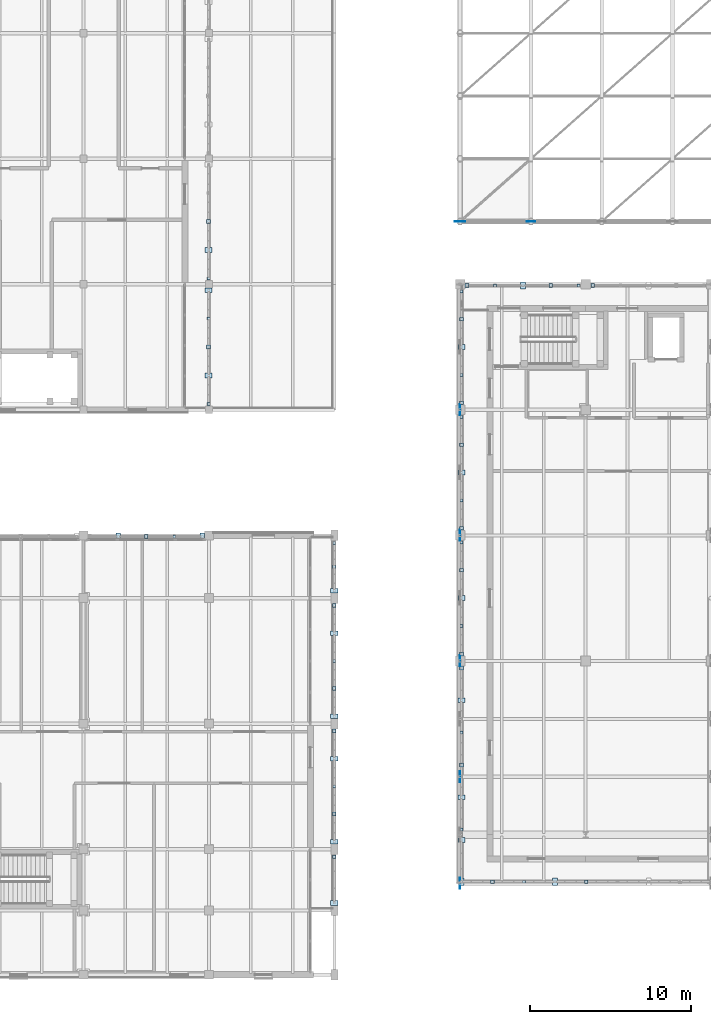
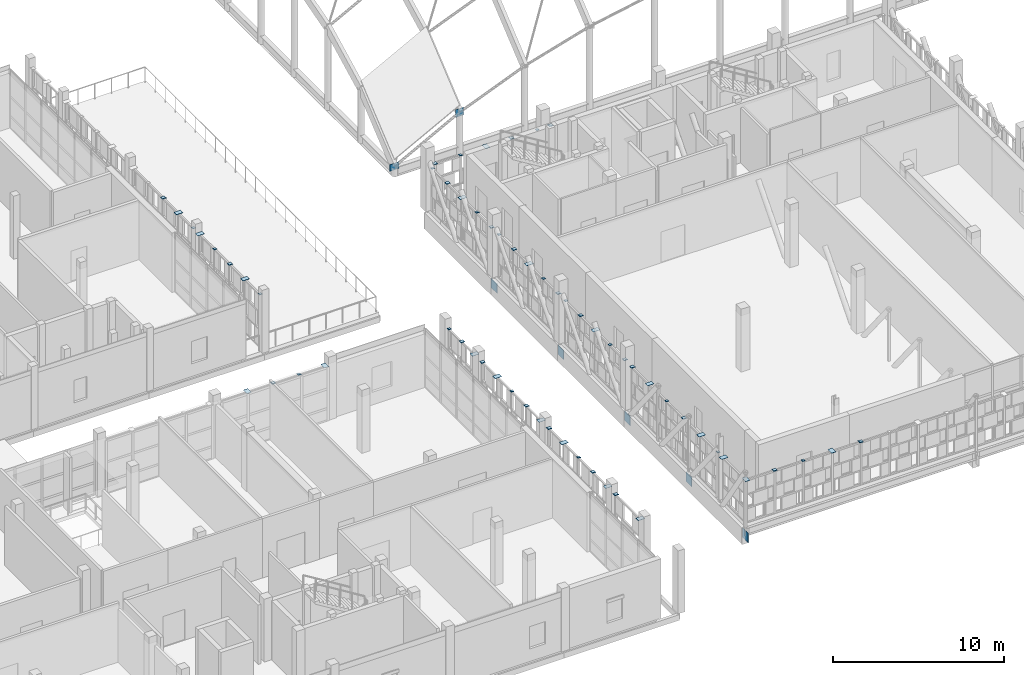
# One storey, part 77 of 119: 67 plates.
"""IFC4 building model written with IfcOpenShell, lengths in metres."""

import ifcopenshell
import ifcopenshell.guid

model = None  # the IFC model being written
_history = None  # IfcOwnerHistory: only IFC2X3 demands one
_inside = {}  # id of a spatial element -> (the spatial element, [elements in it])
_under = {}  # id of a project, library or spatial element -> (it, [spatial elements below it])
_declared = {}  # id of a project -> (the project, [libraries it declares])
_typed = {}  # id of a type object -> (the type object, [elements of that type])
_made_of = {}  # id of a material, layer set ... -> (it, [elements and type objects made of it])


def new_model(schema):
    """Start an empty IFC model of exactly this schema.

    Asked for "IFC4X3", IfcOpenShell would pick the latest addendum, in which some entities
    have other attributes; the version numbers below select the first issue.
    IFC2X3 requires an IfcOwnerHistory on every rooted entity: one is made here for all.
    """
    global model, _history
    if schema == "IFC4X3":
        model = ifcopenshell.file(schema_version=(4, 3, 0, 0))
    else:
        model = ifcopenshell.file(schema=schema)
    _inside.clear()
    _under.clear()
    _declared.clear()
    _typed.clear()
    _made_of.clear()
    _history = None
    if model.schema == "IFC2X3":
        org = make("IfcOrganization", Name="unknown")
        user = make(
            "IfcPersonAndOrganization",
            ThePerson=make("IfcPerson", FamilyName="unknown"),
            TheOrganization=org,
        )
        app = make(
            "IfcApplication",
            ApplicationDeveloper=org,
            Version="unknown",
            ApplicationFullName="unknown",
            ApplicationIdentifier="unknown",
        )
        _history = make(
            "IfcOwnerHistory",
            OwningUser=user,
            OwningApplication=app,
            ChangeAction="ADDED",
            CreationDate=0,
        )
    return model


def make(cls, **values):
    """One entity of the class cls with the attributes given. An attribute that is None is left unset."""
    return model.create_entity(
        cls, **{name: value for name, value in values.items() if value is not None}
    )


def rooted(cls, **values):
    """An entity with a GlobalId (a new one), such as an element, a storey or a relation."""
    return make(cls, GlobalId=ifcopenshell.guid.new(), OwnerHistory=_history, **values)


def si_unit(unit_type, name, prefix=None):
    """IfcSIUnit, for example si_unit("LENGTHUNIT", "METRE", prefix="MILLI")."""
    return make("IfcSIUnit", UnitType=unit_type, Prefix=prefix, Name=name)


def assignment(units):
    """IfcUnitAssignment: the units of a project."""
    return None if units is None else make("IfcUnitAssignment", Units=units)


def point(xyz):
    """IfcCartesianPoint."""
    return None if xyz is None else make("IfcCartesianPoint", Coordinates=xyz)


def direction(xyz):
    """IfcDirection."""
    return None if xyz is None else make("IfcDirection", DirectionRatios=xyz)


def frame(location, z_axis=None, x_axis=None):
    """IfcAxis2Placement3D, a coordinate frame: its origin and axes. An axis left out is left unset."""
    return make(
        "IfcAxis2Placement3D",
        Location=point(location),
        Axis=direction(z_axis),
        RefDirection=direction(x_axis),
    )


def frame_2d(location, x_axis=None):
    """IfcAxis2Placement2D, a coordinate frame in the plane: its origin and x axis."""
    return make(
        "IfcAxis2Placement2D", Location=point(location), RefDirection=direction(x_axis)
    )


def origin():
    """The frame at (0, 0, 0) with its axes left unset."""
    return frame((0.0, 0.0, 0.0))


def origin_2d():
    """The frame at (0, 0) in the plane with its x axis left unset."""
    return frame_2d((0.0, 0.0))


def place(relative_to, where):
    """IfcLocalPlacement: puts the frame where relative to a parent placement (None: the world)."""
    return make(
        "IfcLocalPlacement", PlacementRelTo=relative_to, RelativePlacement=where
    )


def context(
    kind, dimensions, precision=None, world=None, true_north=None, identifier=None
):
    """IfcGeometricRepresentationContext, for example the 3D "Model" context."""
    return make(
        "IfcGeometricRepresentationContext",
        ContextIdentifier=identifier,
        ContextType=kind,
        CoordinateSpaceDimension=dimensions,
        Precision=precision,
        WorldCoordinateSystem=world,
        TrueNorth=true_north,
    )


def subcontext(parent, identifier, kind, view, scale=None):
    """IfcGeometricRepresentationSubContext, for example "Body" below "Model"."""
    return make(
        "IfcGeometricRepresentationSubContext",
        ContextIdentifier=identifier,
        ContextType=kind,
        ParentContext=parent,
        TargetScale=scale,
        TargetView=view,
    )


def project(units=None, contexts=None):
    """IfcProject with its units and contexts."""
    return rooted(
        "IfcProject",
        Name="project",
        RepresentationContexts=contexts,
        UnitsInContext=assignment(units),
    )


def spatial(cls, under=None, at=None, **own):
    """A site, building, storey or space (cls), placed at a placement, below another one or the project."""
    s = rooted(cls, ObjectPlacement=at, **own)
    if under is not None:
        _under.setdefault(under.id(), (under, []))[1].append(s)
    return s


def profile(cls, at=None, kind="AREA", **sizes):
    """A parametric profile (cls). Its sizes go by their IFC names, for example OverallWidth=200.0."""
    return make(cls, ProfileType=kind, Position=at, **sizes)


def rectangle(**sizes):
    """IfcRectangleProfileDef."""
    return profile("IfcRectangleProfileDef", **sizes)


def extrude(swept, where, along, depth):
    """IfcExtrudedAreaSolid: the profile swept, set in the frame where, extruded along a direction by depth."""
    return make(
        "IfcExtrudedAreaSolid",
        SweptArea=swept,
        Position=where,
        ExtrudedDirection=direction(along),
        Depth=depth,
    )


def shape(context_of_items, identifier, shape_type, items):
    """IfcShapeRepresentation: the items that make up one representation, for example the "Body"."""
    return make(
        "IfcShapeRepresentation",
        ContextOfItems=context_of_items,
        RepresentationIdentifier=identifier,
        RepresentationType=shape_type,
        Items=items,
    )


def material(Name=None, Category=None):
    """IfcMaterial."""
    return make("IfcMaterial", Name=Name, Category=Category)


def layer(
    of_material, thickness, ventilated=None, Name=None, Category=None, Priority=None
):
    """IfcMaterialLayer: one layer of a wall or slab, of a material (None: an air gap)."""
    return make(
        "IfcMaterialLayer",
        Material=of_material,
        LayerThickness=thickness,
        IsVentilated=ventilated,
        Name=Name,
        Category=Category,
        Priority=Priority,
    )


def layer_set(layers, Name=None):
    """IfcMaterialLayerSet."""
    return make("IfcMaterialLayerSet", MaterialLayers=layers, LayerSetName=Name)


def made_of(thing, what):
    """Note that an element or type object is made of a material, layer set ...; save() writes the relation."""
    if what is not None:
        _made_of.setdefault(what.id(), (what, []))[1].append(thing)
    return thing


def type_object(cls, material=None, **own):
    """A type object (cls), such as IfcWallType, which elements share."""
    return made_of(rooted(cls, **own), material)


def element(
    cls,
    number,
    at=None,
    inside=None,
    cuts=None,
    type_object=None,
    material=None,
    context=None,
    identifier="Body",
    shape_type=None,
    held_by="IfcProductDefinitionShape",
    body=None,
    shapes=None,
    **own,
):
    """One element of the class cls, such as IfcWall. Its Tag is "e" and its number.

    at: its placement. inside: the storey or other place that contains it. cuts: it is an
    opening in that element (IfcRelVoidsElement). A single representation is given by context,
    identifier, shape_type and body (its items); several are given by shapes. held_by: the class
    of the entity that holds the representations. save() writes the other relations.
    """
    e = rooted(cls, Tag="e%d" % number, ObjectPlacement=at, **own)
    if body is not None:
        shapes = [shape(context, identifier, shape_type, body)]
    if shapes is not None:
        e.Representation = make(held_by, Representations=shapes)
    if inside is not None:
        _inside.setdefault(inside.id(), (inside, []))[1].append(e)
    if cuts is not None:
        rooted(
            "IfcRelVoidsElement", RelatingBuildingElement=cuts, RelatedOpeningElement=e
        )
    if type_object is not None:
        _typed.setdefault(type_object.id(), (type_object, []))[1].append(e)
    return made_of(e, material)


def aggregate(whole, parts):
    """IfcRelAggregates: a whole, such as a stair, and the parts it consists of."""
    return rooted("IfcRelAggregates", RelatingObject=whole, RelatedObjects=parts)


def save(model, path):
    """Write the relations noted so far, then the file.

    IfcRelAggregates (storeys below a building ...), IfcRelContainedInSpatialStructure (elements
    in a storey), IfcRelDefinesByType, IfcRelAssociatesMaterial and IfcRelDeclares: one each for
    every whole, place, type object, material and project.
    """
    for whole, parts in _under.values():
        aggregate(whole, parts)
    for where, things in _inside.values():
        rooted(
            "IfcRelContainedInSpatialStructure",
            RelatedElements=things,
            RelatingStructure=where,
        )
    for kind, things in _typed.values():
        rooted("IfcRelDefinesByType", RelatedObjects=things, RelatingType=kind)
    for what, things in _made_of.values():
        rooted("IfcRelAssociatesMaterial", RelatedObjects=things, RelatingMaterial=what)
    for by, libraries in _declared.values():
        rooted("IfcRelDeclares", RelatingContext=by, RelatedDefinitions=libraries)
    model.write(path)


model = new_model("IFC4")

# Units and contexts
model_context = context("Model", 3, precision=1e-05, world=origin(), true_north=direction((0.0, 1.0)))
body_context = subcontext(model_context, "Body", "Model", "MODEL_VIEW")
ifc_project = project(units=[si_unit("LENGTHUNIT", "METRE"), si_unit("AREAUNIT", "SQUARE_METRE"), si_unit("VOLUMEUNIT", "CUBIC_METRE"), si_unit("PLANEANGLEUNIT", "RADIAN"), si_unit("MASSUNIT", "GRAM", prefix="KILO")], contexts=[model_context])

# Site, building, storey
site_placement = place(None, origin())
site = spatial("IfcSite", under=ifc_project, at=site_placement, CompositionType="ELEMENT")
building_placement = place(site_placement, origin())
building = spatial("IfcBuilding", under=site, at=building_placement, Name="Celorna Specialist Clinic", CompositionType="ELEMENT")
storey_placement = place(building_placement, frame((0.0, 0.0, 9.60009765625)))
storey = spatial("IfcBuildingStorey", under=building, at=storey_placement, Name="L02", CompositionType="ELEMENT", Elevation=9.60009765625)

# Plates
ifc_material = material(Name="Steel S355", Category="steel")
ifc_layer_1 = layer(ifc_material, 0.011962890625, Name="Steel S355")
ifc_layer_set_1 = layer_set([ifc_layer_1], Name="Steel S355")
plate_type_1 = type_object("IfcPlateType", Name="EP-06", PredefinedType="SHEET", material=ifc_layer_set_1)
for number, where, z_axis, x_axis, name in (
    (1, (58.56005859375, 5.780029296875, 3.080078125), (0.0, 0.0, 1.0), (1.0, 0.0, 0.0), "Screen post cap plate EP-06 #3"),
    (2, (54.679931640625, 9.02001953125, 3.080078125), (0.0, 0.0, 1.0), (0.0, 1.0, 0.0), "Screen post cap plate EP-06 #168"),
    (3, (54.679931640625, 15.0439453125, 3.080078125), (0.0, 0.0, 1.0), (0.0, 1.0, 0.0), "Screen post cap plate EP-06 #171"),
    (4, (54.679931640625, 21.669921875, 3.080078125), (0.0, 0.0, 1.0), (0.0, 1.0, 0.0), "Screen post cap plate EP-06 #195"),
    (5, (54.679931640625, 26.860107421875, 3.080078125), (0.0, 0.0, 1.0), (0.0, 1.0, 0.0), "Screen post cap plate EP-06 #198"),
    (6, (54.679931640625, 29.469970703125, 3.080078125), (0.0, 0.0, 1.0), (0.0, 1.0, 0.0), "Screen post cap plate EP-06 #216"),
    (7, (54.679931640625, 34.659912109375, 3.080078125), (0.0, 0.0, 1.0), (0.0, 1.0, 0.0), "Screen post cap plate EP-06 #219"),
    (8, (54.679931640625, 37.27001953125, 3.080078125), (0.0, 0.0, 1.0), (0.0, 1.0, 0.0), "Screen post cap plate EP-06 #237"),
    (9, (54.679931640625, 42.4599609375, 3.080078125), (0.0, 0.0, 1.0), (0.0, 1.0, 0.0), "Screen post cap plate EP-06 #240"),
    (10, (56.77001953125, 42.820068359375, 3.080078125), (0.0, 0.0, 1.0), (1.0, 0.0, 0.0), "Screen post cap plate EP-06 #540"),
    (11, (61.9599609375, 42.820068359375, 3.080078125), (0.0, 0.0, 1.0), (1.0, 0.0, 0.0), "Screen post cap plate EP-06 #543"),
    (12, (38.97998046875, 35.465087890625, 3.83984375), (0.0, 0.0, 1.0), (0.0, 1.0, 0.0), "Screen post cap plate EP-06 #1539"),
    (13, (38.97998046875, 40.767578125, 3.83984375), (0.0, 0.0, 1.0), (0.0, 1.0, 0.0), "Screen post cap plate EP-06 #1542"),
    (14, (38.97998046875, 43.264892578125, 3.83984375), (0.0, 0.0, 1.0), (0.0, 1.0, 0.0), "Screen post cap plate EP-06 #1560"),
    (15, (46.780029296875, 11.699951171875, 3.83984375), (0.0, 0.0, 1.0), (0.0, 1.0, 0.0), "Screen post cap plate EP-06 #1680"),
    (16, (46.780029296875, 19.5, 3.83984375), (0.0, 0.0, 1.0), (0.0, 1.0, 0.0), "Screen post cap plate EP-06 #1701"),
    (17, (46.780029296875, 26.8349609375, 3.83984375), (0.0, 0.0, 1.0), (0.0, 1.0, 0.0), "Screen post cap plate EP-06 #1722"),
    (18, (36.842529296875, 27.219970703125, 3.83984375), (0.0, 0.0, 1.0), (1.0, 0.0, 0.0), "Screen post cap plate EP-06 #1797"),
):
    element("IfcPlate", number, at=place(storey_placement, frame(where, z_axis=z_axis, x_axis=x_axis)), inside=storey, type_object=plate_type_1, Name=name, PredefinedType="SHEET", context=body_context, shape_type="SweptSolid", body=[
        extrude(rectangle(XDim=0.179931640625, YDim=0.179931640625, at=origin_2d()), origin(), (0.0, 0.0, 1.0), 0.011962890625),
    ])
ifc_layer_2 = layer(ifc_material, 0.01611328125, Name="Steel S355")
ifc_layer_set_2 = layer_set([ifc_layer_2], Name="Steel S355")
plate_type_2 = type_object("IfcPlateType", Name="EP-07", PredefinedType="SHEET", material=ifc_layer_set_2)
for number, where, z_axis, x_axis, name in (
    (19, (54.679931640625, 5.780029296875, 3.079833984375), (0.0, 0.0, 1.0), (1.0, 0.0, 0.0), "Screen post cap plate EP-07 #1"),
    (20, (60.5, 5.780029296875, 3.079833984375), (0.0, 0.0, 1.0), (1.0, 0.0, 0.0), "Screen post cap plate EP-07 #4"),
    (21, (54.679931640625, 8.3798828125, 3.079833984375), (0.0, 0.0, 1.0), (0.0, 1.0, 0.0), "Screen post cap plate EP-07 #163"),
    (22, (54.679931640625, 11.028076171875, 3.079833984375), (0.0, 0.0, 1.0), (0.0, 1.0, 0.0), "Screen post cap plate EP-07 #169"),
    (23, (54.679931640625, 17.052001953125, 3.079833984375), (0.0, 0.0, 1.0), (0.0, 1.0, 0.0), "Screen post cap plate EP-07 #172"),
    (24, (54.679931640625, 23.39990234375, 3.079833984375), (0.0, 0.0, 1.0), (0.0, 1.0, 0.0), "Screen post cap plate EP-07 #196"),
    (25, (54.679931640625, 31.199951171875, 3.079833984375), (0.0, 0.0, 1.0), (0.0, 1.0, 0.0), "Screen post cap plate EP-07 #217"),
    (26, (54.679931640625, 39.0, 3.079833984375), (0.0, 0.0, 1.0), (0.0, 1.0, 0.0), "Screen post cap plate EP-07 #238"),
    (27, (58.5, 42.820068359375, 3.079833984375), (0.0, 0.0, 1.0), (1.0, 0.0, 0.0), "Screen post cap plate EP-07 #541"),
    (28, (38.97998046875, 37.232421875, 3.83984375), (0.0, 0.0, 1.0), (0.0, 1.0, 0.0), "Screen post cap plate EP-07 #1540"),
    (29, (38.97998046875, 42.534912109375, 3.83984375), (0.0, 0.0, 1.0), (0.0, 1.0, 0.0), "Screen post cap plate EP-07 #1543"),
    (30, (38.97998046875, 45.032470703125, 3.83984375), (0.0, 0.0, 1.0), (0.0, 1.0, 0.0), "Screen post cap plate EP-07 #1561"),
    (31, (46.780029296875, 4.465087890625, 3.83984375), (0.0, 0.0, 1.0), (0.0, 1.0, 0.0), "Screen post cap plate EP-07 #1672"),
    (32, (46.780029296875, 8.264892578125, 3.83984375), (0.0, 0.0, 1.0), (0.0, 1.0, 0.0), "Screen post cap plate EP-07 #1678"),
    (33, (46.780029296875, 13.41748046875, 3.83984375), (0.0, 0.0, 1.0), (0.0, 1.0, 0.0), "Screen post cap plate EP-07 #1681"),
    (34, (46.780029296875, 16.06494140625, 3.83984375), (0.0, 0.0, 1.0), (0.0, 1.0, 0.0), "Screen post cap plate EP-07 #1699"),
    (35, (46.780029296875, 21.217529296875, 3.83984375), (0.0, 0.0, 1.0), (0.0, 1.0, 0.0), "Screen post cap plate EP-07 #1702"),
    (36, (46.780029296875, 23.864990234375, 3.83984375), (0.0, 0.0, 1.0), (0.0, 1.0, 0.0), "Screen post cap plate EP-07 #1720"),
    (37, (33.357421875, 27.219970703125, 3.83984375), (0.0, 0.0, 1.0), (1.0, 0.0, 0.0), "Screen post cap plate EP-07 #1795"),
    (38, (38.5849609375, 27.219970703125, 3.83984375), (0.0, 0.0, 1.0), (1.0, 0.0, 0.0), "Screen post cap plate EP-07 #1798"),
):
    element("IfcPlate", number, at=place(storey_placement, frame(where, z_axis=z_axis, x_axis=x_axis)), inside=storey, type_object=plate_type_2, Name=name, PredefinedType="SHEET", context=body_context, shape_type="SweptSolid", body=[
        extrude(rectangle(XDim=0.300048828125, YDim=0.43994140625, at=origin_2d()), origin(), (0.0, 0.0, 1.0), 0.01611328125),
    ])
ifc_layer_3 = layer(ifc_material, 0.013916015625, Name="Steel S355")
ifc_layer_set_3 = layer_set([ifc_layer_3], Name="Steel S355")
plate_type_3 = type_object("IfcPlateType", Name="EP-08", PredefinedType="SHEET", material=ifc_layer_set_3)
for number, where, z_axis, x_axis, name in (
    (39, (56.6201171875, 5.780029296875, 3.080078125), (0.0, 0.0, 1.0), (1.0, 0.0, 0.0), "Screen post cap plate EP-08 #2"),
    (40, (62.43994140625, 5.780029296875, 3.080078125), (0.0, 0.0, 1.0), (1.0, 0.0, 0.0), "Screen post cap plate EP-08 #5"),
    (41, (54.679931640625, 13.035888671875, 3.080078125), (0.0, 0.0, 1.0), (0.0, 1.0, 0.0), "Screen post cap plate EP-08 #170"),
    (42, (54.679931640625, 19.06005859375, 3.080078125), (0.0, 0.0, 1.0), (0.0, 1.0, 0.0), "Screen post cap plate EP-08 #173"),
    (43, (54.679931640625, 19.93994140625, 3.080078125), (0.0, 0.0, 1.0), (0.0, 1.0, 0.0), "Screen post cap plate EP-08 #194"),
    (44, (54.679931640625, 25.1298828125, 3.080078125), (0.0, 0.0, 1.0), (0.0, 1.0, 0.0), "Screen post cap plate EP-08 #197"),
    (45, (54.679931640625, 27.739990234375, 3.080078125), (0.0, 0.0, 1.0), (0.0, 1.0, 0.0), "Screen post cap plate EP-08 #215"),
    (46, (54.679931640625, 32.929931640625, 3.080078125), (0.0, 0.0, 1.0), (0.0, 1.0, 0.0), "Screen post cap plate EP-08 #218"),
    (47, (54.679931640625, 35.5400390625, 3.080078125), (0.0, 0.0, 1.0), (0.0, 1.0, 0.0), "Screen post cap plate EP-08 #236"),
    (48, (54.679931640625, 40.72998046875, 3.080078125), (0.0, 0.0, 1.0), (0.0, 1.0, 0.0), "Screen post cap plate EP-08 #239"),
    (49, (55.0400390625, 42.820068359375, 3.080078125), (0.0, 0.0, 1.0), (1.0, 0.0, 0.0), "Screen post cap plate EP-08 #539"),
    (50, (60.22998046875, 42.820068359375, 3.080078125), (0.0, 0.0, 1.0), (1.0, 0.0, 0.0), "Screen post cap plate EP-08 #542"),
    (51, (62.840087890625, 42.820068359375, 3.080078125), (0.0, 0.0, 1.0), (1.0, 0.0, 0.0), "Screen post cap plate EP-08 #560"),
    (52, (38.97998046875, 39.0, 3.83984375), (0.0, 0.0, 1.0), (0.0, 1.0, 0.0), "Screen post cap plate EP-08 #1541"),
    (53, (38.97998046875, 46.800048828125, 3.83984375), (0.0, 0.0, 1.0), (0.0, 1.0, 0.0), "Screen post cap plate EP-08 #1562"),
    (54, (46.780029296875, 7.3349609375, 3.83984375), (0.0, 0.0, 1.0), (0.0, 1.0, 0.0), "Screen post cap plate EP-08 #1673"),
    (55, (46.780029296875, 9.982421875, 3.83984375), (0.0, 0.0, 1.0), (0.0, 1.0, 0.0), "Screen post cap plate EP-08 #1679"),
    (56, (46.780029296875, 15.135009765625, 3.83984375), (0.0, 0.0, 1.0), (0.0, 1.0, 0.0), "Screen post cap plate EP-08 #1682"),
    (57, (46.780029296875, 17.782470703125, 3.83984375), (0.0, 0.0, 1.0), (0.0, 1.0, 0.0), "Screen post cap plate EP-08 #1700"),
    (58, (46.780029296875, 22.93505859375, 3.83984375), (0.0, 0.0, 1.0), (0.0, 1.0, 0.0), "Screen post cap plate EP-08 #1703"),
    (59, (46.780029296875, 25.35009765625, 3.83984375), (0.0, 0.0, 1.0), (0.0, 1.0, 0.0), "Screen post cap plate EP-08 #1721"),
    (60, (35.10009765625, 27.219970703125, 3.83984375), (0.0, 0.0, 1.0), (1.0, 0.0, 0.0), "Screen post cap plate EP-08 #1796"),
):
    element("IfcPlate", number, at=place(storey_placement, frame(where, z_axis=z_axis, x_axis=x_axis)), inside=storey, type_object=plate_type_3, Name=name, PredefinedType="SHEET", context=body_context, shape_type="SweptSolid", body=[
        extrude(rectangle(XDim=0.239990234375, YDim=0.239990234375, at=origin_2d()), origin(), (0.0, 0.0, 1.0), 0.013916015625),
    ])
ifc_layer_4 = layer(ifc_material, 0.02197265625, Name="Steel S355")
ifc_layer_set_4 = layer_set([ifc_layer_4], Name="Steel S355")
plate_type_4 = type_object("IfcPlateType", Name="GP-03", PredefinedType="USERDEFINED", material=ifc_layer_set_4)
plate_1_placement = place(storey_placement, frame((54.60009765625, 46.800048828125, 0.35986328125), z_axis=(0.0, 0.0, 1.0), x_axis=(1.0, 0.0, 0.0)))
element("IfcPlate", 61, at=plate_1_placement, inside=storey, type_object=plate_type_4, Name="GSH-V1 gridshell steel node shoe GN-01", ObjectType="GUSSET PLATE", PredefinedType="USERDEFINED", context=body_context, shape_type="SweptSolid", body=[
    extrude(rectangle(XDim=0.639892578125, YDim=0.02197265625, at=origin_2d()), origin(), (0.0, 0.0, 1.0), 0.47998046875),
])
ifc_layer_5 = layer(ifc_material, 0.02001953125, Name="Steel S355")
ifc_layer_set_5 = layer_set([ifc_layer_5], Name="Steel S355")
plate_type_5 = type_object("IfcPlateType", Name="GP-04", PredefinedType="USERDEFINED", material=ifc_layer_set_5)
plate_2_placement = place(storey_placement, frame((59.0, 46.800048828125, 2.659423828125), z_axis=(0.0, 0.0, 1.0), x_axis=(1.0, 0.0, 0.0)))
element("IfcPlate", 62, at=plate_2_placement, inside=storey, type_object=plate_type_5, Name="GSH-V1 gridshell steel node shoe GN-02", ObjectType="GUSSET PLATE", PredefinedType="USERDEFINED", context=body_context, shape_type="SweptSolid", body=[
    extrude(rectangle(XDim=0.5400390625, YDim=0.02001953125, at=origin_2d()), origin(), (0.0, 0.0, 1.0), 0.5400390625),
])
ifc_layer_6 = layer(ifc_material, 0.02392578125, Name="Steel S355")
ifc_layer_set_6 = layer_set([ifc_layer_6], Name="Steel S355")
plate_type_6 = type_object("IfcPlateType", Name="GP-07", PredefinedType="USERDEFINED", material=ifc_layer_set_6)
for number, where, z_axis, x_axis, name in (
    (63, (54.60009765625, 5.699951171875, -1.17529296875), (0.0, 0.0, 1.0), (0.0, 1.0, 0.0), "Truss node gusset plate TN-007"),
    (64, (54.60009765625, 12.300048828125, -1.17529296875), (0.0, 0.0, 1.0), (0.0, 1.0, 0.0), "Truss node gusset plate TN-009"),
    (65, (54.60009765625, 19.5, -1.17529296875), (0.0, 0.0, 1.0), (0.0, 1.0, 0.0), "Truss node gusset plate TN-011"),
    (66, (54.60009765625, 27.300048828125, -1.17529296875), (0.0, 0.0, 1.0), (0.0, 1.0, 0.0), "Truss node gusset plate TN-013"),
    (67, (54.60009765625, 35.10009765625, -1.17529296875), (0.0, 0.0, 1.0), (0.0, 1.0, 0.0), "Truss node gusset plate TN-015"),
):
    element("IfcPlate", number, at=place(storey_placement, frame(where, z_axis=z_axis, x_axis=x_axis)), inside=storey, type_object=plate_type_6, Name=name, ObjectType="GUSSET PLATE", PredefinedType="USERDEFINED", context=body_context, shape_type="SweptSolid", body=[
        extrude(rectangle(XDim=0.679931640625, YDim=0.02392578125, at=origin_2d()), origin(), (0.0, 0.0, 1.0), 0.679931640625),
    ])

save(model, "model.ifc")
